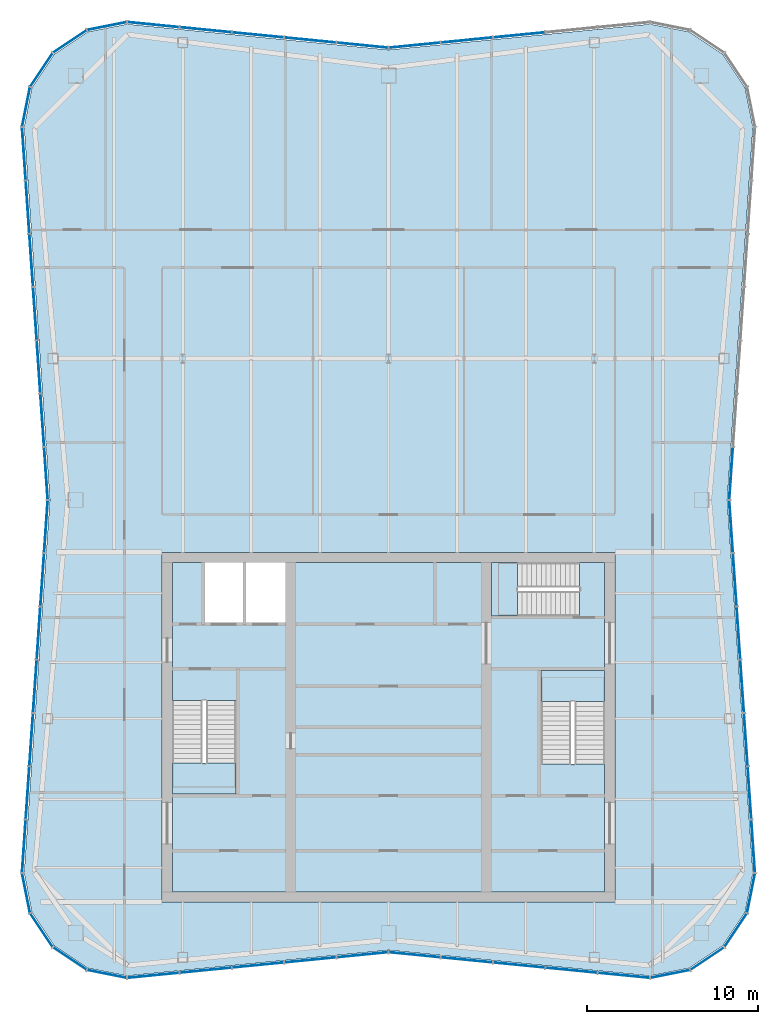
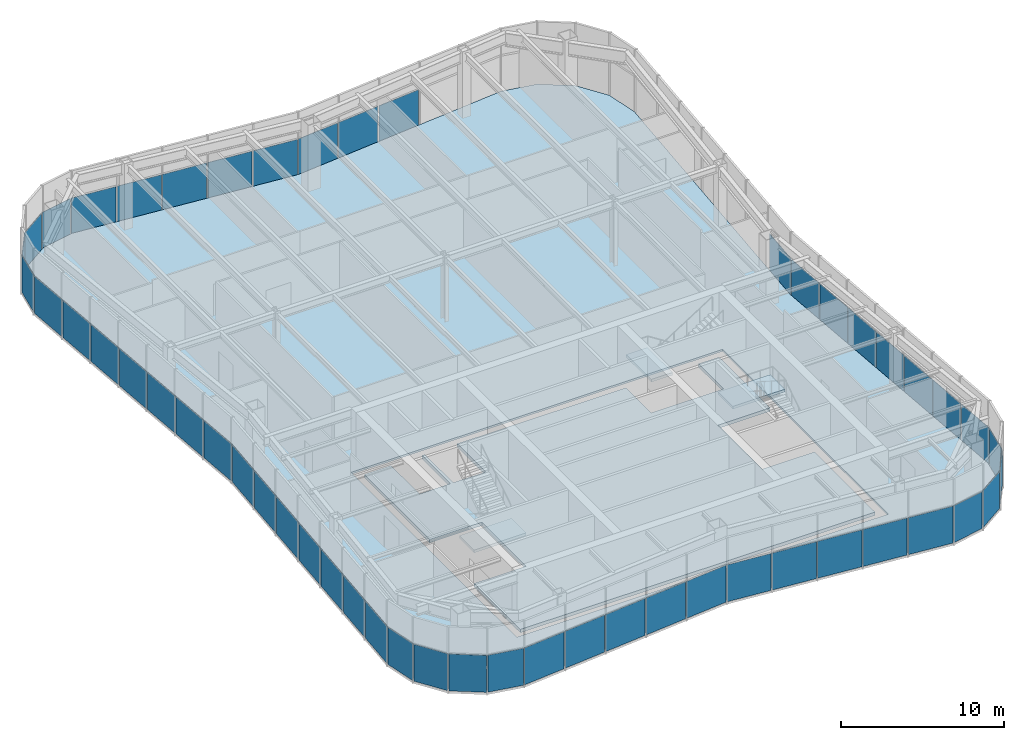
# One storey, part 8 of 13: 52 plates, 5 slabs, 10 elements without a shape of their own.
"""IFC4 building model written with IfcOpenShell, lengths in metres."""

from ifc_helpers import new_model, si_unit, direction, frame, origin, origin_2d, place, context, subcontext, project, spatial, polyline, rectangle, outline, extrude, material, layer, layer_set, type_object, element, aggregate, save


model = new_model("IFC4")

# Units and contexts
model_context = context("Model", 3, precision=1e-05, world=origin(), true_north=direction((0.0, 1.0)))
body_context = subcontext(model_context, "Body", "Model", "MODEL_VIEW")
ifc_project = project(units=[si_unit("LENGTHUNIT", "METRE"), si_unit("AREAUNIT", "SQUARE_METRE"), si_unit("VOLUMEUNIT", "CUBIC_METRE"), si_unit("PLANEANGLEUNIT", "RADIAN"), si_unit("MASSUNIT", "GRAM", prefix="KILO")], contexts=[model_context])

# Site, building, storey
site_placement = place(None, origin())
site = spatial("IfcSite", under=ifc_project, at=site_placement, CompositionType="ELEMENT")
building_placement = place(site_placement, origin())
building = spatial("IfcBuilding", under=site, at=building_placement, Name="Verdant Reach Tower", CompositionType="ELEMENT")
storey_placement = place(building_placement, frame((0.0, 0.0, 349.5)))
storey = spatial("IfcBuildingStorey", under=building, at=storey_placement, Name="L79 Plant", CompositionType="ELEMENT", Elevation=349.5)

# Stair, slab
ifc_material_1 = material(Name="Concrete C40/50", Category="concrete")
stair_type = type_object("IfcStairType", Name="CO-STAIR", PredefinedType="HALF_TURN_STAIR", material=ifc_material_1)
stair_1_placement = place(storey_placement, origin())
stair_1 = element("IfcStair", 1, at=stair_1_placement, inside=storey, type_object=stair_type, Name="L79 Plant Exit stair 1", PredefinedType="HALF_TURN_STAIR")
ifc_layer_1 = layer(ifc_material_1, 0.199951171875)
ifc_layer_set_1 = layer_set([ifc_layer_1], Name="CO-STAIR-LANDING")
slab_type_1 = type_object("IfcSlabType", Name="CO-STAIR-LANDING", PredefinedType="LANDING", material=ifc_layer_set_1)
slab_1_placement = place(storey_placement, frame((0.0, 0.0, 2.300048828125)))
slab_1 = element("IfcSlab", 2, at=slab_1_placement, type_object=slab_type_1, Name="ST-1 landing 1", PredefinedType="LANDING", context=body_context, shape_type="SweptSolid", body=[
    extrude(outline(polyline([(-12.60009765625, 25.909912109375), (-12.60009765625, 24.10009765625), (-8.89990234375, 24.10009765625), (-8.89990234375, 25.909912109375), (-12.60009765625, 25.909912109375)])), origin(), (0.0, 0.0, 1.0), 0.199951171875),
])
aggregate(stair_1, [slab_1])

stair_2_placement = place(storey_placement, origin())
stair_2 = element("IfcStair", 3, at=stair_2_placement, inside=storey, type_object=stair_type, Name="L79 Plant Exit stair 2", PredefinedType="HALF_TURN_STAIR")
slab_2_placement = place(storey_placement, frame((0.0, 0.0, 2.300048828125)))
slab_2 = element("IfcSlab", 4, at=slab_2_placement, type_object=slab_type_1, Name="ST-2 landing 1", PredefinedType="LANDING", context=body_context, shape_type="SweptSolid", body=[
    extrude(outline(polyline([(12.60009765625, 29.489990234375), (12.60009765625, 31.300048828125), (8.89990234375, 31.300048828125), (8.89990234375, 29.489990234375), (12.60009765625, 29.489990234375)])), origin(), (0.0, 0.0, 1.0), 0.199951171875),
])
aggregate(stair_2, [slab_2])

stair_3_placement = place(storey_placement, origin())
stair_3 = element("IfcStair", 5, at=stair_3_placement, inside=storey, type_object=stair_type, Name="L79 Plant Exit stair 3", PredefinedType="HALF_TURN_STAIR")
slab_3_placement = place(storey_placement, frame((0.0, 0.0, 2.300048828125)))
slab_3 = element("IfcSlab", 6, at=slab_3_placement, type_object=slab_type_1, Name="ST-3 landing 1", PredefinedType="LANDING", context=body_context, shape_type="SweptSolid", body=[
    extrude(outline(polyline([(7.510009765625, 37.60009765625), (6.0, 37.60009765625), (6.0, 34.5), (7.510009765625, 34.5), (7.510009765625, 37.60009765625)])), origin(), (0.0, 0.0, 1.0), 0.199951171875),
])
aggregate(stair_3, [slab_3])

# Curtain wall, plates
ifc_material_2 = material(Name="Anodised aluminium", Category="aluminium")
curtain_wall_type = type_object("IfcCurtainWallType", Name="EN-CW SYSTEM PLANT", PredefinedType="NOTDEFINED", material=ifc_material_2)
curtain_wall_1_placement = place(storey_placement, origin())
curtain_wall_1 = element("IfcCurtainWall", 7, at=curtain_wall_1_placement, inside=storey, type_object=curtain_wall_type, Name="Curtain wall south-east corner, L79", PredefinedType="NOTDEFINED")
ifc_material_3 = material(Name="Bronze anodised aluminium solid panel", Category="aluminium")
ifc_layer_2 = layer(ifc_material_3, 0.0400390625)
ifc_layer_set_2 = layer_set([ifc_layer_2], Name="EN-PANEL SOLID")
plate_type = type_object("IfcPlateType", Name="EN-PANEL SOLID", PredefinedType="CURTAIN_PANEL", material=ifc_layer_set_2)
plate_1_placement = place(storey_placement, frame((16.423828125, 13.614013671875, -0.199951171875), z_axis=(0.0, 0.0, 1.0), x_axis=(0.980705120874, 0.195492879387, 0.0)))
plate_1 = element("IfcPlate", 8, at=plate_1_placement, type_object=plate_type, Name="Solid panel south-east corner 1.1, L79", PredefinedType="CURTAIN_PANEL", context=body_context, shape_type="SweptSolid", body=[
    extrude(rectangle(XDim=2.3056640625, YDim=0.0400390625, at=origin_2d()), origin(), (0.0, 0.0, 1.0), 2.77490234375),
])
plate_2_placement = place(storey_placement, frame((18.584228515625, 14.510009765625, -0.199951171875), z_axis=(0.0, 0.0, 1.0), x_axis=(0.83145208321, 0.555596466265, 0.0)))
plate_2 = element("IfcPlate", 9, at=plate_2_placement, type_object=plate_type, Name="Solid panel south-east corner 2.1, L79", PredefinedType="CURTAIN_PANEL", context=body_context, shape_type="SweptSolid", body=[
    extrude(rectangle(XDim=2.3115234375, YDim=0.0400390625, at=origin_2d()), origin(), (0.0, 0.0, 1.0), 2.77490234375),
])
plate_3_placement = place(storey_placement, frame((20.239990234375, 16.165771484375, -0.199951171875), z_axis=(0.0, 0.0, 1.0), x_axis=(0.555596466265, 0.83145208321, 0.0)))
plate_3 = element("IfcPlate", 10, at=plate_3_placement, type_object=plate_type, Name="Solid panel south-east corner 3.1, L79", PredefinedType="CURTAIN_PANEL", context=body_context, shape_type="SweptSolid", body=[
    extrude(rectangle(XDim=2.3115234375, YDim=0.0400390625, at=origin_2d()), origin(), (0.0, 0.0, 1.0), 2.77490234375),
])
plate_4_placement = place(storey_placement, frame((21.135986328125, 18.325439453125, -0.199951171875), z_axis=(0.0, 0.0, 1.0), x_axis=(0.195592962334, 0.980685165119, 0.0)))
plate_4 = element("IfcPlate", 11, at=plate_4_placement, type_object=plate_type, Name="Solid panel south-east corner 4.1, L79", PredefinedType="CURTAIN_PANEL", context=body_context, shape_type="SweptSolid", body=[
    extrude(rectangle(XDim=2.303955078125, YDim=0.0400390625, at=origin_2d()), origin(), (0.0, 0.0, 1.0), 2.77490234375),
])
aggregate(curtain_wall_1, [plate_1, plate_2, plate_3, plate_4])

curtain_wall_2_placement = place(storey_placement, origin())
curtain_wall_2 = element("IfcCurtainWall", 12, at=curtain_wall_2_placement, inside=storey, type_object=curtain_wall_type, Name="Curtain wall east, L79", PredefinedType="NOTDEFINED")
plate_5_placement = place(storey_placement, frame((21.261474609375, 21.053955078125, -0.199951171875), z_axis=(0.0, 0.0, 1.0), x_axis=(-0.068469163133, 0.997653233193, 0.0)))
plate_5 = element("IfcPlate", 13, at=plate_5_placement, type_object=plate_type, Name="Solid panel east face part 1 1.1, L79", PredefinedType="CURTAIN_PANEL", context=body_context, shape_type="SweptSolid", body=[
    extrude(rectangle(XDim=3.05419921875, YDim=0.0400390625, at=origin_2d()), origin(), (0.0, 0.0, 1.0), 2.77490234375),
])
plate_6_placement = place(storey_placement, frame((21.04736328125, 24.1689453125, -0.199951171875), z_axis=(0.0, 0.0, 1.0), x_axis=(-0.068802091615, 0.997630328423, 0.0)))
plate_6 = element("IfcPlate", 14, at=plate_6_placement, type_object=plate_type, Name="Solid panel east face part 1 2.1, L79", PredefinedType="CURTAIN_PANEL", context=body_context, shape_type="SweptSolid", body=[
    extrude(rectangle(XDim=3.03857421875, YDim=0.0400390625, at=origin_2d()), origin(), (0.0, 0.0, 1.0), 2.77490234375),
])
plate_7_placement = place(storey_placement, frame((20.8330078125, 27.276123046875, -0.199951171875), z_axis=(0.0, 0.0, 1.0), x_axis=(-0.068802091615, 0.997630328423, 0.0)))
plate_7 = element("IfcPlate", 15, at=plate_7_placement, type_object=plate_type, Name="Solid panel east face part 1 3.1, L79", PredefinedType="CURTAIN_PANEL", context=body_context, shape_type="SweptSolid", body=[
    extrude(rectangle(XDim=3.03857421875, YDim=0.0400390625, at=origin_2d()), origin(), (0.0, 0.0, 1.0), 2.77490234375),
])
plate_8_placement = place(storey_placement, frame((20.61865234375, 30.38330078125, -0.199951171875), z_axis=(0.0, 0.0, 1.0), x_axis=(-0.068802091615, 0.997630328423, 0.0)))
plate_8 = element("IfcPlate", 16, at=plate_8_placement, type_object=plate_type, Name="Solid panel east face part 1 4.1, L79", PredefinedType="CURTAIN_PANEL", context=body_context, shape_type="SweptSolid", body=[
    extrude(rectangle(XDim=3.03857421875, YDim=0.0400390625, at=origin_2d()), origin(), (0.0, 0.0, 1.0), 2.77490234375),
])
plate_9_placement = place(storey_placement, frame((20.404541015625, 33.490234375, -0.199951171875), z_axis=(0.0, 0.0, 1.0), x_axis=(-0.068802091615, 0.997630328423, 0.0)))
plate_9 = element("IfcPlate", 17, at=plate_9_placement, type_object=plate_type, Name="Solid panel east face part 1 5.1, L79", PredefinedType="CURTAIN_PANEL", context=body_context, shape_type="SweptSolid", body=[
    extrude(rectangle(XDim=3.03857421875, YDim=0.0400390625, at=origin_2d()), origin(), (0.0, 0.0, 1.0), 2.77490234375),
])
plate_10_placement = place(storey_placement, frame((20.190185546875, 36.597412109375, -0.199951171875), z_axis=(0.0, 0.0, 1.0), x_axis=(-0.068802091615, 0.997630328423, 0.0)))
plate_10 = element("IfcPlate", 18, at=plate_10_placement, type_object=plate_type, Name="Solid panel east face part 1 6.1, L79", PredefinedType="CURTAIN_PANEL", context=body_context, shape_type="SweptSolid", body=[
    extrude(rectangle(XDim=3.03857421875, YDim=0.0400390625, at=origin_2d()), origin(), (0.0, 0.0, 1.0), 2.77490234375),
])
plate_11_placement = place(storey_placement, frame((19.97607421875, 39.700439453125, -0.199951171875), z_axis=(0.0, 0.0, 1.0), x_axis=(-0.068892655483, 0.997624078509, 0.0)))
plate_11 = element("IfcPlate", 19, at=plate_11_placement, type_object=plate_type, Name="Solid panel east face part 1 7.1, L79", PredefinedType="CURTAIN_PANEL", context=body_context, shape_type="SweptSolid", body=[
    extrude(rectangle(XDim=3.0302734375, YDim=0.0400390625, at=origin_2d()), origin(), (0.0, 0.0, 1.0), 2.77490234375),
])
plate_12_placement = place(storey_placement, frame((19.97607421875, 42.799560546875, -0.199951171875), z_axis=(0.0, 0.0, 1.0), x_axis=(0.068892655483, 0.997624078509, 0.0)))
plate_12 = element("IfcPlate", 20, at=plate_12_placement, type_object=plate_type, Name="Solid panel east face part 2 1.1, L79", PredefinedType="CURTAIN_PANEL", context=body_context, shape_type="SweptSolid", body=[
    extrude(rectangle(XDim=3.0302734375, YDim=0.0400390625, at=origin_2d()), origin(), (0.0, 0.0, 1.0), 2.77490234375),
])
aggregate(curtain_wall_2, [plate_5, plate_6, plate_7, plate_8, plate_9, plate_10, plate_11, plate_12])

curtain_wall_3_placement = place(storey_placement, origin())
curtain_wall_3 = element("IfcCurtainWall", 21, at=curtain_wall_3_placement, inside=storey, type_object=curtain_wall_type, Name="Curtain wall north, L79", PredefinedType="NOTDEFINED")
plate_13_placement = place(storey_placement, frame((7.61328125, 68.368408203125, -0.199951171875), z_axis=(0.0, 0.0, 1.0), x_axis=(-0.995197410875, -0.09788826992, 0.0)))
plate_13 = element("IfcPlate", 22, at=plate_13_placement, type_object=plate_type, Name="Solid panel north face part 1 3.1, L79", PredefinedType="CURTAIN_PANEL", context=body_context, shape_type="SweptSolid", body=[
    extrude(rectangle(XDim=2.98876953125, YDim=0.0400390625, at=origin_2d()), origin(), (0.0, 0.0, 1.0), 2.77490234375),
])
plate_14_placement = place(storey_placement, frame((4.563232421875, 68.068359375, -0.199951171875), z_axis=(0.0, 0.0, 1.0), x_axis=(-0.995197410875, -0.09788826992, 0.0)))
plate_14 = element("IfcPlate", 23, at=plate_14_placement, type_object=plate_type, Name="Solid panel north face part 1 4.1, L79", PredefinedType="CURTAIN_PANEL", context=body_context, shape_type="SweptSolid", body=[
    extrude(rectangle(XDim=2.98876953125, YDim=0.0400390625, at=origin_2d()), origin(), (0.0, 0.0, 1.0), 2.77490234375),
])
plate_15_placement = place(storey_placement, frame((1.519287109375, 67.768798828125, -0.199951171875), z_axis=(0.0, 0.0, 1.0), x_axis=(-0.995179069607, -0.098074560493, 0.0)))
plate_15 = element("IfcPlate", 24, at=plate_15_placement, type_object=plate_type, Name="Solid panel north face part 1 5.1, L79", PredefinedType="CURTAIN_PANEL", context=body_context, shape_type="SweptSolid", body=[
    extrude(rectangle(XDim=2.97705078125, YDim=0.0400390625, at=origin_2d()), origin(), (0.0, 0.0, 1.0), 2.77490234375),
])
plate_16_placement = place(storey_placement, frame((-1.519287109375, 67.768798828125, -0.199951171875), z_axis=(0.0, 0.0, 1.0), x_axis=(-0.995179069607, 0.098074560493, 0.0)))
plate_16 = element("IfcPlate", 25, at=plate_16_placement, type_object=plate_type, Name="Solid panel north face part 2 1.1, L79", PredefinedType="CURTAIN_PANEL", context=body_context, shape_type="SweptSolid", body=[
    extrude(rectangle(XDim=2.97705078125, YDim=0.0400390625, at=origin_2d()), origin(), (0.0, 0.0, 1.0), 2.77490234375),
])
plate_17_placement = place(storey_placement, frame((-4.563232421875, 68.068359375, -0.199951171875), z_axis=(0.0, 0.0, 1.0), x_axis=(-0.995197410875, 0.09788826992, 0.0)))
plate_17 = element("IfcPlate", 26, at=plate_17_placement, type_object=plate_type, Name="Solid panel north face part 2 2.1, L79", PredefinedType="CURTAIN_PANEL", context=body_context, shape_type="SweptSolid", body=[
    extrude(rectangle(XDim=2.98876953125, YDim=0.0400390625, at=origin_2d()), origin(), (0.0, 0.0, 1.0), 2.77490234375),
])
plate_18_placement = place(storey_placement, frame((-7.61328125, 68.368408203125, -0.199951171875), z_axis=(0.0, 0.0, 1.0), x_axis=(-0.995197410875, 0.09788826992, 0.0)))
plate_18 = element("IfcPlate", 27, at=plate_18_placement, type_object=plate_type, Name="Solid panel north face part 2 3.1, L79", PredefinedType="CURTAIN_PANEL", context=body_context, shape_type="SweptSolid", body=[
    extrude(rectangle(XDim=2.98876953125, YDim=0.0400390625, at=origin_2d()), origin(), (0.0, 0.0, 1.0), 2.77490234375),
])
plate_19_placement = place(storey_placement, frame((-10.663330078125, 68.66845703125, -0.199951171875), z_axis=(0.0, 0.0, 1.0), x_axis=(-0.995197410875, 0.09788826992, 0.0)))
plate_19 = element("IfcPlate", 28, at=plate_19_placement, type_object=plate_type, Name="Solid panel north face part 2 4.1, L79", PredefinedType="CURTAIN_PANEL", context=body_context, shape_type="SweptSolid", body=[
    extrude(rectangle(XDim=2.98876953125, YDim=0.0400390625, at=origin_2d()), origin(), (0.0, 0.0, 1.0), 2.77490234375),
])
plate_20_placement = place(storey_placement, frame((-13.72216796875, 68.96875, -0.199951171875), z_axis=(0.0, 0.0, 1.0), x_axis=(-0.995238191716, 0.097472774402, 0.0)))
plate_20 = element("IfcPlate", 29, at=plate_20_placement, type_object=plate_type, Name="Solid panel north face part 2 5.1, L79", PredefinedType="CURTAIN_PANEL", context=body_context, shape_type="SweptSolid", body=[
    extrude(rectangle(XDim=3.006103515625, YDim=0.0400390625, at=origin_2d()), origin(), (0.0, 0.0, 1.0), 2.77490234375),
])
aggregate(curtain_wall_3, [plate_13, plate_14, plate_15, plate_16, plate_17, plate_18, plate_19, plate_20])

curtain_wall_4_placement = place(storey_placement, origin())
curtain_wall_4 = element("IfcCurtainWall", 30, at=curtain_wall_4_placement, inside=storey, type_object=curtain_wall_type, Name="Curtain wall north-west corner, L79", PredefinedType="NOTDEFINED")
plate_21_placement = place(storey_placement, frame((-16.423828125, 68.885986328125, -0.199951171875), z_axis=(0.0, 0.0, 1.0), x_axis=(-0.980705120874, -0.195492879387, 0.0)))
plate_21 = element("IfcPlate", 31, at=plate_21_placement, type_object=plate_type, Name="Solid panel north-west corner 1.1, L79", PredefinedType="CURTAIN_PANEL", context=body_context, shape_type="SweptSolid", body=[
    extrude(rectangle(XDim=2.3056640625, YDim=0.0400390625, at=origin_2d()), origin(), (0.0, 0.0, 1.0), 2.77490234375),
])
plate_22_placement = place(storey_placement, frame((-18.584228515625, 67.989990234375, -0.199951171875), z_axis=(0.0, 0.0, 1.0), x_axis=(-0.83145208321, -0.555596466265, 0.0)))
plate_22 = element("IfcPlate", 32, at=plate_22_placement, type_object=plate_type, Name="Solid panel north-west corner 2.1, L79", PredefinedType="CURTAIN_PANEL", context=body_context, shape_type="SweptSolid", body=[
    extrude(rectangle(XDim=2.3115234375, YDim=0.0400390625, at=origin_2d()), origin(), (0.0, 0.0, 1.0), 2.77490234375),
])
plate_23_placement = place(storey_placement, frame((-20.239990234375, 66.334228515625, -0.199951171875), z_axis=(0.0, 0.0, 1.0), x_axis=(-0.555596466265, -0.83145208321, 0.0)))
plate_23 = element("IfcPlate", 33, at=plate_23_placement, type_object=plate_type, Name="Solid panel north-west corner 3.1, L79", PredefinedType="CURTAIN_PANEL", context=body_context, shape_type="SweptSolid", body=[
    extrude(rectangle(XDim=2.3115234375, YDim=0.0400390625, at=origin_2d()), origin(), (0.0, 0.0, 1.0), 2.77490234375),
])
plate_24_placement = place(storey_placement, frame((-21.135986328125, 64.174560546875, -0.199951171875), z_axis=(0.0, 0.0, 1.0), x_axis=(-0.195592962334, -0.980685165119, 0.0)))
plate_24 = element("IfcPlate", 34, at=plate_24_placement, type_object=plate_type, Name="Solid panel north-west corner 4.1, L79", PredefinedType="CURTAIN_PANEL", context=body_context, shape_type="SweptSolid", body=[
    extrude(rectangle(XDim=2.303955078125, YDim=0.0400390625, at=origin_2d()), origin(), (0.0, 0.0, 1.0), 2.77490234375),
])
aggregate(curtain_wall_4, [plate_21, plate_22, plate_23, plate_24])

curtain_wall_5_placement = place(storey_placement, origin())
curtain_wall_5 = element("IfcCurtainWall", 35, at=curtain_wall_5_placement, inside=storey, type_object=curtain_wall_type, Name="Curtain wall west, L79", PredefinedType="NOTDEFINED")
plate_25_placement = place(storey_placement, frame((-21.261474609375, 61.446044921875, -0.199951171875), z_axis=(0.0, 0.0, 1.0), x_axis=(0.068469163133, -0.997653233193, 0.0)))
plate_25 = element("IfcPlate", 36, at=plate_25_placement, type_object=plate_type, Name="Solid panel west face part 1 1.1, L79", PredefinedType="CURTAIN_PANEL", context=body_context, shape_type="SweptSolid", body=[
    extrude(rectangle(XDim=3.05419921875, YDim=0.0400390625, at=origin_2d()), origin(), (0.0, 0.0, 1.0), 2.77490234375),
])
plate_26_placement = place(storey_placement, frame((-21.04736328125, 58.3310546875, -0.199951171875), z_axis=(0.0, 0.0, 1.0), x_axis=(0.068802091615, -0.997630328423, 0.0)))
plate_26 = element("IfcPlate", 37, at=plate_26_placement, type_object=plate_type, Name="Solid panel west face part 1 2.1, L79", PredefinedType="CURTAIN_PANEL", context=body_context, shape_type="SweptSolid", body=[
    extrude(rectangle(XDim=3.03857421875, YDim=0.0400390625, at=origin_2d()), origin(), (0.0, 0.0, 1.0), 2.77490234375),
])
plate_27_placement = place(storey_placement, frame((-20.8330078125, 55.223876953125, -0.199951171875), z_axis=(0.0, 0.0, 1.0), x_axis=(0.068802091615, -0.997630328423, 0.0)))
plate_27 = element("IfcPlate", 38, at=plate_27_placement, type_object=plate_type, Name="Solid panel west face part 1 3.1, L79", PredefinedType="CURTAIN_PANEL", context=body_context, shape_type="SweptSolid", body=[
    extrude(rectangle(XDim=3.03857421875, YDim=0.0400390625, at=origin_2d()), origin(), (0.0, 0.0, 1.0), 2.77490234375),
])
plate_28_placement = place(storey_placement, frame((-20.61865234375, 52.11669921875, -0.199951171875), z_axis=(0.0, 0.0, 1.0), x_axis=(0.068802091615, -0.997630328423, 0.0)))
plate_28 = element("IfcPlate", 39, at=plate_28_placement, type_object=plate_type, Name="Solid panel west face part 1 4.1, L79", PredefinedType="CURTAIN_PANEL", context=body_context, shape_type="SweptSolid", body=[
    extrude(rectangle(XDim=3.03857421875, YDim=0.0400390625, at=origin_2d()), origin(), (0.0, 0.0, 1.0), 2.77490234375),
])
plate_29_placement = place(storey_placement, frame((-20.404541015625, 49.009765625, -0.199951171875), z_axis=(0.0, 0.0, 1.0), x_axis=(0.068802091615, -0.997630328423, 0.0)))
plate_29 = element("IfcPlate", 40, at=plate_29_placement, type_object=plate_type, Name="Solid panel west face part 1 5.1, L79", PredefinedType="CURTAIN_PANEL", context=body_context, shape_type="SweptSolid", body=[
    extrude(rectangle(XDim=3.03857421875, YDim=0.0400390625, at=origin_2d()), origin(), (0.0, 0.0, 1.0), 2.77490234375),
])
plate_30_placement = place(storey_placement, frame((-20.190185546875, 45.902587890625, -0.199951171875), z_axis=(0.0, 0.0, 1.0), x_axis=(0.068802091615, -0.997630328423, 0.0)))
plate_30 = element("IfcPlate", 41, at=plate_30_placement, type_object=plate_type, Name="Solid panel west face part 1 6.1, L79", PredefinedType="CURTAIN_PANEL", context=body_context, shape_type="SweptSolid", body=[
    extrude(rectangle(XDim=3.03857421875, YDim=0.0400390625, at=origin_2d()), origin(), (0.0, 0.0, 1.0), 2.77490234375),
])
plate_31_placement = place(storey_placement, frame((-19.97607421875, 42.799560546875, -0.199951171875), z_axis=(0.0, 0.0, 1.0), x_axis=(0.068892655483, -0.997624078509, 0.0)))
plate_31 = element("IfcPlate", 42, at=plate_31_placement, type_object=plate_type, Name="Solid panel west face part 1 7.1, L79", PredefinedType="CURTAIN_PANEL", context=body_context, shape_type="SweptSolid", body=[
    extrude(rectangle(XDim=3.0302734375, YDim=0.0400390625, at=origin_2d()), origin(), (0.0, 0.0, 1.0), 2.77490234375),
])
plate_32_placement = place(storey_placement, frame((-19.97607421875, 39.700439453125, -0.199951171875), z_axis=(0.0, 0.0, 1.0), x_axis=(-0.068892655483, -0.997624078509, 0.0)))
plate_32 = element("IfcPlate", 43, at=plate_32_placement, type_object=plate_type, Name="Solid panel west face part 2 1.1, L79", PredefinedType="CURTAIN_PANEL", context=body_context, shape_type="SweptSolid", body=[
    extrude(rectangle(XDim=3.0302734375, YDim=0.0400390625, at=origin_2d()), origin(), (0.0, 0.0, 1.0), 2.77490234375),
])
plate_33_placement = place(storey_placement, frame((-20.190185546875, 36.597412109375, -0.199951171875), z_axis=(0.0, 0.0, 1.0), x_axis=(-0.068802091615, -0.997630328423, 0.0)))
plate_33 = element("IfcPlate", 44, at=plate_33_placement, type_object=plate_type, Name="Solid panel west face part 2 2.1, L79", PredefinedType="CURTAIN_PANEL", context=body_context, shape_type="SweptSolid", body=[
    extrude(rectangle(XDim=3.03857421875, YDim=0.0400390625, at=origin_2d()), origin(), (0.0, 0.0, 1.0), 2.77490234375),
])
plate_34_placement = place(storey_placement, frame((-20.404541015625, 33.490234375, -0.199951171875), z_axis=(0.0, 0.0, 1.0), x_axis=(-0.068802091615, -0.997630328423, 0.0)))
plate_34 = element("IfcPlate", 45, at=plate_34_placement, type_object=plate_type, Name="Solid panel west face part 2 3.1, L79", PredefinedType="CURTAIN_PANEL", context=body_context, shape_type="SweptSolid", body=[
    extrude(rectangle(XDim=3.03857421875, YDim=0.0400390625, at=origin_2d()), origin(), (0.0, 0.0, 1.0), 2.77490234375),
])
plate_35_placement = place(storey_placement, frame((-20.61865234375, 30.38330078125, -0.199951171875), z_axis=(0.0, 0.0, 1.0), x_axis=(-0.068802091615, -0.997630328423, 0.0)))
plate_35 = element("IfcPlate", 46, at=plate_35_placement, type_object=plate_type, Name="Solid panel west face part 2 4.1, L79", PredefinedType="CURTAIN_PANEL", context=body_context, shape_type="SweptSolid", body=[
    extrude(rectangle(XDim=3.03857421875, YDim=0.0400390625, at=origin_2d()), origin(), (0.0, 0.0, 1.0), 2.77490234375),
])
plate_36_placement = place(storey_placement, frame((-20.8330078125, 27.276123046875, -0.199951171875), z_axis=(0.0, 0.0, 1.0), x_axis=(-0.068802091615, -0.997630328423, 0.0)))
plate_36 = element("IfcPlate", 47, at=plate_36_placement, type_object=plate_type, Name="Solid panel west face part 2 5.1, L79", PredefinedType="CURTAIN_PANEL", context=body_context, shape_type="SweptSolid", body=[
    extrude(rectangle(XDim=3.03857421875, YDim=0.0400390625, at=origin_2d()), origin(), (0.0, 0.0, 1.0), 2.77490234375),
])
plate_37_placement = place(storey_placement, frame((-21.04736328125, 24.1689453125, -0.199951171875), z_axis=(0.0, 0.0, 1.0), x_axis=(-0.068802091615, -0.997630328423, 0.0)))
plate_37 = element("IfcPlate", 48, at=plate_37_placement, type_object=plate_type, Name="Solid panel west face part 2 6.1, L79", PredefinedType="CURTAIN_PANEL", context=body_context, shape_type="SweptSolid", body=[
    extrude(rectangle(XDim=3.03857421875, YDim=0.0400390625, at=origin_2d()), origin(), (0.0, 0.0, 1.0), 2.77490234375),
])
plate_38_placement = place(storey_placement, frame((-21.261474609375, 21.053955078125, -0.199951171875), z_axis=(0.0, 0.0, 1.0), x_axis=(-0.068469163133, -0.997653233193, 0.0)))
plate_38 = element("IfcPlate", 49, at=plate_38_placement, type_object=plate_type, Name="Solid panel west face part 2 7.1, L79", PredefinedType="CURTAIN_PANEL", context=body_context, shape_type="SweptSolid", body=[
    extrude(rectangle(XDim=3.05419921875, YDim=0.0400390625, at=origin_2d()), origin(), (0.0, 0.0, 1.0), 2.77490234375),
])
aggregate(curtain_wall_5, [plate_25, plate_26, plate_27, plate_28, plate_29, plate_30, plate_31, plate_32, plate_33, plate_34, plate_35, plate_36, plate_37, plate_38])

curtain_wall_6_placement = place(storey_placement, origin())
curtain_wall_6 = element("IfcCurtainWall", 50, at=curtain_wall_6_placement, inside=storey, type_object=curtain_wall_type, Name="Curtain wall south-west corner, L79", PredefinedType="NOTDEFINED")
plate_39_placement = place(storey_placement, frame((-21.135986328125, 18.325439453125, -0.199951171875), z_axis=(0.0, 0.0, 1.0), x_axis=(0.195592962334, -0.980685165119, 0.0)))
plate_39 = element("IfcPlate", 51, at=plate_39_placement, type_object=plate_type, Name="Solid panel south-west corner 1.1, L79", PredefinedType="CURTAIN_PANEL", context=body_context, shape_type="SweptSolid", body=[
    extrude(rectangle(XDim=2.303955078125, YDim=0.0400390625, at=origin_2d()), origin(), (0.0, 0.0, 1.0), 2.77490234375),
])
plate_40_placement = place(storey_placement, frame((-20.239990234375, 16.165771484375, -0.199951171875), z_axis=(0.0, 0.0, 1.0), x_axis=(0.555596466265, -0.83145208321, 0.0)))
plate_40 = element("IfcPlate", 52, at=plate_40_placement, type_object=plate_type, Name="Solid panel south-west corner 2.1, L79", PredefinedType="CURTAIN_PANEL", context=body_context, shape_type="SweptSolid", body=[
    extrude(rectangle(XDim=2.3115234375, YDim=0.0400390625, at=origin_2d()), origin(), (0.0, 0.0, 1.0), 2.77490234375),
])
plate_41_placement = place(storey_placement, frame((-18.584228515625, 14.510009765625, -0.199951171875), z_axis=(0.0, 0.0, 1.0), x_axis=(0.83145208321, -0.555596466265, 0.0)))
plate_41 = element("IfcPlate", 53, at=plate_41_placement, type_object=plate_type, Name="Solid panel south-west corner 3.1, L79", PredefinedType="CURTAIN_PANEL", context=body_context, shape_type="SweptSolid", body=[
    extrude(rectangle(XDim=2.3115234375, YDim=0.0400390625, at=origin_2d()), origin(), (0.0, 0.0, 1.0), 2.77490234375),
])
plate_42_placement = place(storey_placement, frame((-16.423828125, 13.614013671875, -0.199951171875), z_axis=(0.0, 0.0, 1.0), x_axis=(0.980705120874, -0.195492879387, 0.0)))
plate_42 = element("IfcPlate", 54, at=plate_42_placement, type_object=plate_type, Name="Solid panel south-west corner 4.1, L79", PredefinedType="CURTAIN_PANEL", context=body_context, shape_type="SweptSolid", body=[
    extrude(rectangle(XDim=2.3056640625, YDim=0.0400390625, at=origin_2d()), origin(), (0.0, 0.0, 1.0), 2.77490234375),
])
aggregate(curtain_wall_6, [plate_39, plate_40, plate_41, plate_42])

curtain_wall_7_placement = place(storey_placement, origin())
curtain_wall_7 = element("IfcCurtainWall", 55, at=curtain_wall_7_placement, inside=storey, type_object=curtain_wall_type, Name="Curtain wall south, L79", PredefinedType="NOTDEFINED")
plate_43_placement = place(storey_placement, frame((-13.72216796875, 13.53125, -0.199951171875), z_axis=(0.0, 0.0, 1.0), x_axis=(0.995238191716, 0.097472774402, 0.0)))
plate_43 = element("IfcPlate", 56, at=plate_43_placement, type_object=plate_type, Name="Solid panel south face part 1 1.1, L79", PredefinedType="CURTAIN_PANEL", context=body_context, shape_type="SweptSolid", body=[
    extrude(rectangle(XDim=3.006103515625, YDim=0.0400390625, at=origin_2d()), origin(), (0.0, 0.0, 1.0), 2.77490234375),
])
plate_44_placement = place(storey_placement, frame((-10.663330078125, 13.83154296875, -0.199951171875), z_axis=(0.0, 0.0, 1.0), x_axis=(0.995197410875, 0.09788826992, 0.0)))
plate_44 = element("IfcPlate", 57, at=plate_44_placement, type_object=plate_type, Name="Solid panel south face part 1 2.1, L79", PredefinedType="CURTAIN_PANEL", context=body_context, shape_type="SweptSolid", body=[
    extrude(rectangle(XDim=2.98876953125, YDim=0.0400390625, at=origin_2d()), origin(), (0.0, 0.0, 1.0), 2.77490234375),
])
plate_45_placement = place(storey_placement, frame((-7.61328125, 14.131591796875, -0.199951171875), z_axis=(0.0, 0.0, 1.0), x_axis=(0.995197410875, 0.09788826992, 0.0)))
plate_45 = element("IfcPlate", 58, at=plate_45_placement, type_object=plate_type, Name="Solid panel south face part 1 3.1, L79", PredefinedType="CURTAIN_PANEL", context=body_context, shape_type="SweptSolid", body=[
    extrude(rectangle(XDim=2.98876953125, YDim=0.0400390625, at=origin_2d()), origin(), (0.0, 0.0, 1.0), 2.77490234375),
])
plate_46_placement = place(storey_placement, frame((-4.563232421875, 14.431640625, -0.199951171875), z_axis=(0.0, 0.0, 1.0), x_axis=(0.995197410875, 0.09788826992, 0.0)))
plate_46 = element("IfcPlate", 59, at=plate_46_placement, type_object=plate_type, Name="Solid panel south face part 1 4.1, L79", PredefinedType="CURTAIN_PANEL", context=body_context, shape_type="SweptSolid", body=[
    extrude(rectangle(XDim=2.98876953125, YDim=0.0400390625, at=origin_2d()), origin(), (0.0, 0.0, 1.0), 2.77490234375),
])
plate_47_placement = place(storey_placement, frame((-1.519287109375, 14.731201171875, -0.199951171875), z_axis=(0.0, 0.0, 1.0), x_axis=(0.995179069607, 0.098074560493, 0.0)))
plate_47 = element("IfcPlate", 60, at=plate_47_placement, type_object=plate_type, Name="Solid panel south face part 1 5.1, L79", PredefinedType="CURTAIN_PANEL", context=body_context, shape_type="SweptSolid", body=[
    extrude(rectangle(XDim=2.97705078125, YDim=0.0400390625, at=origin_2d()), origin(), (0.0, 0.0, 1.0), 2.77490234375),
])
plate_48_placement = place(storey_placement, frame((1.519287109375, 14.731201171875, -0.199951171875), z_axis=(0.0, 0.0, 1.0), x_axis=(0.995179069607, -0.098074560493, 0.0)))
plate_48 = element("IfcPlate", 61, at=plate_48_placement, type_object=plate_type, Name="Solid panel south face part 2 1.1, L79", PredefinedType="CURTAIN_PANEL", context=body_context, shape_type="SweptSolid", body=[
    extrude(rectangle(XDim=2.97705078125, YDim=0.0400390625, at=origin_2d()), origin(), (0.0, 0.0, 1.0), 2.77490234375),
])
plate_49_placement = place(storey_placement, frame((4.563232421875, 14.431640625, -0.199951171875), z_axis=(0.0, 0.0, 1.0), x_axis=(0.995197410875, -0.09788826992, 0.0)))
plate_49 = element("IfcPlate", 62, at=plate_49_placement, type_object=plate_type, Name="Solid panel south face part 2 2.1, L79", PredefinedType="CURTAIN_PANEL", context=body_context, shape_type="SweptSolid", body=[
    extrude(rectangle(XDim=2.98876953125, YDim=0.0400390625, at=origin_2d()), origin(), (0.0, 0.0, 1.0), 2.77490234375),
])
plate_50_placement = place(storey_placement, frame((7.61328125, 14.131591796875, -0.199951171875), z_axis=(0.0, 0.0, 1.0), x_axis=(0.995197410875, -0.09788826992, 0.0)))
plate_50 = element("IfcPlate", 63, at=plate_50_placement, type_object=plate_type, Name="Solid panel south face part 2 3.1, L79", PredefinedType="CURTAIN_PANEL", context=body_context, shape_type="SweptSolid", body=[
    extrude(rectangle(XDim=2.98876953125, YDim=0.0400390625, at=origin_2d()), origin(), (0.0, 0.0, 1.0), 2.77490234375),
])
plate_51_placement = place(storey_placement, frame((10.663330078125, 13.83154296875, -0.199951171875), z_axis=(0.0, 0.0, 1.0), x_axis=(0.995197410875, -0.09788826992, 0.0)))
plate_51 = element("IfcPlate", 64, at=plate_51_placement, type_object=plate_type, Name="Solid panel south face part 2 4.1, L79", PredefinedType="CURTAIN_PANEL", context=body_context, shape_type="SweptSolid", body=[
    extrude(rectangle(XDim=2.98876953125, YDim=0.0400390625, at=origin_2d()), origin(), (0.0, 0.0, 1.0), 2.77490234375),
])
plate_52_placement = place(storey_placement, frame((13.72216796875, 13.53125, -0.199951171875), z_axis=(0.0, 0.0, 1.0), x_axis=(0.995238191716, -0.097472774402, 0.0)))
plate_52 = element("IfcPlate", 65, at=plate_52_placement, type_object=plate_type, Name="Solid panel south face part 2 5.1, L79", PredefinedType="CURTAIN_PANEL", context=body_context, shape_type="SweptSolid", body=[
    extrude(rectangle(XDim=3.006103515625, YDim=0.0400390625, at=origin_2d()), origin(), (0.0, 0.0, 1.0), 2.77490234375),
])
aggregate(curtain_wall_7, [plate_43, plate_44, plate_45, plate_46, plate_47, plate_48, plate_49, plate_50, plate_51, plate_52])

# Slabs
ifc_material_4 = material(Name="Concrete C35/45", Category="concrete")
ifc_layer_3 = layer(ifc_material_4, 0.14990234375)
ifc_layer_set_3 = layer_set([ifc_layer_3], Name="ST-SLAB-150")
slab_type_2 = type_object("IfcSlabType", Name="ST-SLAB-150", PredefinedType="FLOOR", material=ifc_layer_set_3)
slab_4_placement = place(storey_placement, frame((0.0, 0.0, -0.14990234375)))
element("IfcSlab", 66, at=slab_4_placement, inside=storey, type_object=slab_type_2, Name="Floor slab L79 Plant", PredefinedType="FLOOR", context=body_context, shape_type="SweptSolid", body=[
    extrude(outline(polyline([(0.0, 15.0), (-15.25, 13.5), (-17.546142578125, 13.956787109375), (-19.49267578125, 15.25732421875), (-20.793212890625, 17.203857421875), (-21.25, 19.5), (-19.75, 41.25), (-21.25, 63.0), (-20.793212890625, 65.296142578125), (-19.49267578125, 67.24267578125), (-17.546142578125, 68.543212890625), (-15.25, 69.0), (0.0, 67.5), (15.25, 69.0), (17.546142578125, 68.543212890625), (19.49267578125, 67.24267578125), (20.793212890625, 65.296142578125), (21.25, 63.0), (19.75, 41.25), (21.25, 19.5), (20.793212890625, 17.203857421875), (19.49267578125, 15.25732421875), (17.546142578125, 13.956787109375), (15.25, 13.5), (0.0, 15.0)]), holes=[polyline([(13.199951171875, 38.199951171875), (-13.199951171875, 38.199951171875), (-13.199951171875, 17.800048828125), (13.199951171875, 17.800048828125), (13.199951171875, 38.199951171875)])]), origin(), (0.0, 0.0, 1.0), 0.14990234375),
])
ifc_layer_4 = layer(ifc_material_4, 0.25)
ifc_layer_set_4 = layer_set([ifc_layer_4], Name="ST-SLAB-250")
slab_type_3 = type_object("IfcSlabType", Name="ST-SLAB-250", PredefinedType="FLOOR", material=ifc_layer_set_4)
slab_5_placement = place(storey_placement, frame((0.0, 0.0, -0.25)))
element("IfcSlab", 67, at=slab_5_placement, inside=storey, type_object=slab_type_3, Name="Core floor slab L79 Plant", PredefinedType="FLOOR", context=body_context, shape_type="SweptSolid", body=[
    extrude(outline(polyline([(12.60009765625, 18.39990234375), (-12.60009765625, 18.39990234375), (-12.60009765625, 24.10009765625), (-8.89990234375, 24.10009765625), (-8.89990234375, 29.548095703125), (-12.60009765625, 29.548095703125), (-12.60009765625, 37.60009765625), (-10.699951171875, 37.60009765625), (-10.699951171875, 34.10009765625), (-8.5, 34.10009765625), (-8.5, 37.60009765625), (-8.300048828125, 37.60009765625), (-8.300048828125, 34.10009765625), (-6.0, 34.10009765625), (-6.0, 37.60009765625), (6.0, 37.60009765625), (6.0, 34.5), (11.14794921875, 34.5), (11.14794921875, 37.60009765625), (12.60009765625, 37.60009765625), (12.60009765625, 31.300048828125), (8.89990234375, 31.300048828125), (8.89990234375, 25.85205078125), (12.60009765625, 25.85205078125), (12.60009765625, 18.39990234375)])), origin(), (0.0, 0.0, 1.0), 0.25),
])

save(model, "model.ifc")
